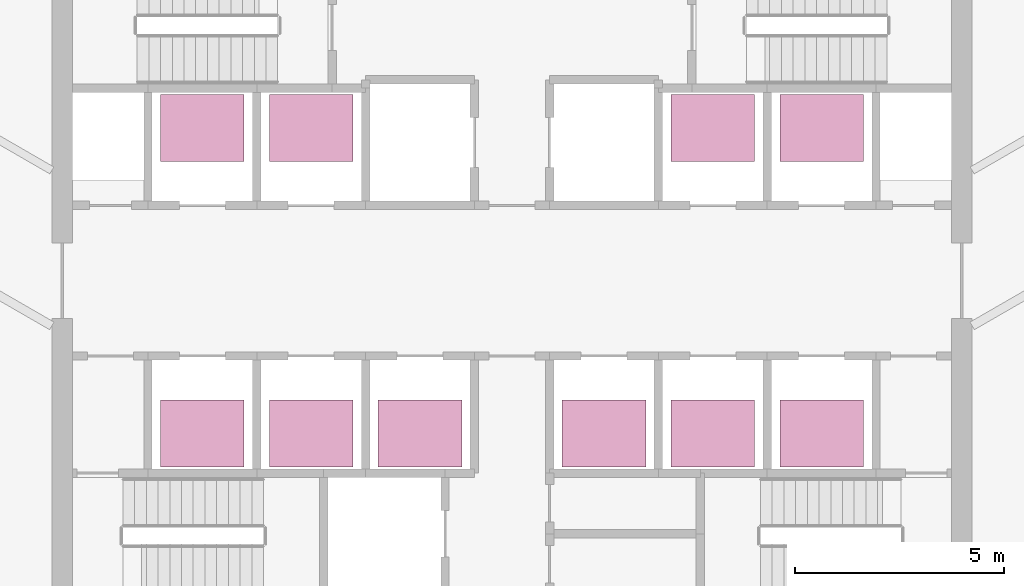
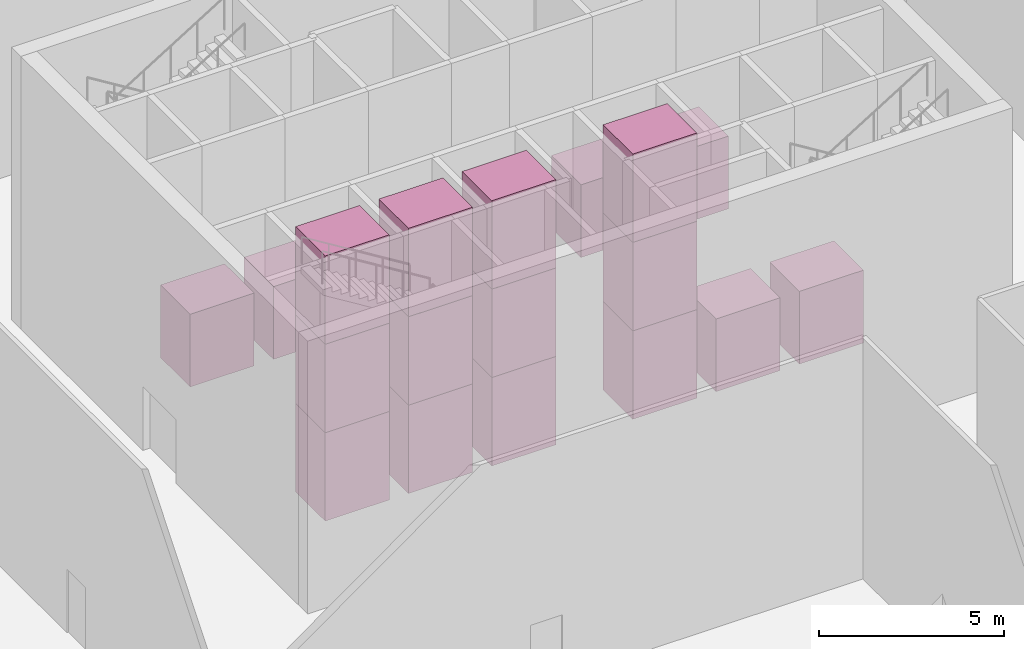
# One storey, part 29 of 29: 18 transport elements.
"""IFC4 building model written with IfcOpenShell, lengths in metres."""

from ifc_helpers import new_model, si_unit, direction, frame, origin, origin_2d, place, context, subcontext, project, spatial, rectangle, extrude, material, type_object, element, save


model = new_model("IFC4")

# Units and contexts
model_context = context("Model", 3, precision=1e-05, world=origin(), true_north=direction((0.0, 1.0)))
body_context = subcontext(model_context, "Body", "Model", "MODEL_VIEW")
ifc_project = project(units=[si_unit("LENGTHUNIT", "METRE"), si_unit("AREAUNIT", "SQUARE_METRE"), si_unit("VOLUMEUNIT", "CUBIC_METRE"), si_unit("PLANEANGLEUNIT", "RADIAN"), si_unit("MASSUNIT", "GRAM", prefix="KILO")], contexts=[model_context])

# Site, building, storey
site_placement = place(None, origin())
site = spatial("IfcSite", under=ifc_project, at=site_placement, CompositionType="ELEMENT")
building_placement = place(site_placement, origin())
building = spatial("IfcBuilding", under=site, at=building_placement, Name="Sierra Prisma Convention Tower", CompositionType="ELEMENT")
storey_placement = place(building_placement, origin())
storey = spatial("IfcBuildingStorey", under=building, at=storey_placement, Name="L00", CompositionType="ELEMENT", Elevation=0.0)

# Transport elements
ifc_material_1 = material(Name="Stainless steel", Category="steel")
transport_element_type_1 = type_object("IfcTransportElementType", Name="Lift car garage 2000x1600 1600 kg", PredefinedType="ELEVATOR", material=ifc_material_1)
for number, where, z_axis, x_axis, name in (
    (1, (4.800048828125, -3.64990234375, 0.0), (0.0, 0.0, 1.0), (1.0, 0.0, 0.0), "Lift GL1"),
    (2, (7.39990234375, -3.64990234375, 0.0), (0.0, 0.0, 1.0), (1.0, 0.0, 0.0), "Lift GL2"),
):
    element("IfcTransportElement", number, at=place(storey_placement, frame(where, z_axis=z_axis, x_axis=x_axis)), inside=storey, type_object=transport_element_type_1, Name=name, PredefinedType="ELEVATOR", context=body_context, shape_type="SweptSolid", body=[
        extrude(rectangle(XDim=2.0, YDim=1.60009765625, at=origin_2d()), origin(), (0.0, 0.0, 1.0), 2.39990234375),
    ])
ifc_material_2 = material(Name="Stainless steel", Category="steel")
transport_element_type_2 = type_object("IfcTransportElementType", Name="Lift car podium 2000x1600 1600 kg", PredefinedType="ELEVATOR", material=ifc_material_2)
for number, where, z_axis, x_axis, name in (
    (3, (-7.39990234375, -3.64990234375, 0.0), (0.0, 0.0, 1.0), (1.0, 0.0, 0.0), "Lift PD1"),
    (4, (-7.39990234375, -3.64990234375, 2.91650390625), (0.0, 0.0, 1.0), (1.0, 0.0, 0.0), "Lift PD1"),
    (5, (-7.39990234375, -3.64990234375, 5.83349609375), (0.0, 0.0, 1.0), (1.0, 0.0, 0.0), "Lift PD1"),
    (6, (-4.800048828125, -3.64990234375, 0.0), (0.0, 0.0, 1.0), (1.0, 0.0, 0.0), "Lift PD2"),
    (7, (-4.800048828125, -3.64990234375, 2.91650390625), (0.0, 0.0, 1.0), (1.0, 0.0, 0.0), "Lift PD2"),
    (8, (-4.800048828125, -3.64990234375, 5.83349609375), (0.0, 0.0, 1.0), (1.0, 0.0, 0.0), "Lift PD2"),
    (9, (-2.199951171875, -3.64990234375, 0.0), (0.0, 0.0, 1.0), (1.0, 0.0, 0.0), "Lift PD3"),
    (10, (-2.199951171875, -3.64990234375, 2.91650390625), (0.0, 0.0, 1.0), (1.0, 0.0, 0.0), "Lift PD3"),
    (11, (-2.199951171875, -3.64990234375, 5.83349609375), (0.0, 0.0, 1.0), (1.0, 0.0, 0.0), "Lift PD3"),
    (12, (2.199951171875, -3.64990234375, 0.0), (0.0, 0.0, 1.0), (1.0, 0.0, 0.0), "Lift PD4"),
    (13, (2.199951171875, -3.64990234375, 2.91650390625), (0.0, 0.0, 1.0), (1.0, 0.0, 0.0), "Lift PD4"),
    (14, (2.199951171875, -3.64990234375, 5.83349609375), (0.0, 0.0, 1.0), (1.0, 0.0, 0.0), "Lift PD4"),
):
    element("IfcTransportElement", number, at=place(storey_placement, frame(where, z_axis=z_axis, x_axis=x_axis)), inside=storey, type_object=transport_element_type_2, Name=name, PredefinedType="ELEVATOR", context=body_context, shape_type="SweptSolid", body=[
        extrude(rectangle(XDim=2.0, YDim=1.60009765625, at=origin_2d()), origin(), (0.0, 0.0, 1.0), 2.916748046875),
    ])
ifc_material_3 = material(Name="Stainless steel", Category="steel")
transport_element_type_3 = type_object("IfcTransportElementType", Name="Lift car shuttle 2000x1600 1600 kg", PredefinedType="ELEVATOR", material=ifc_material_3)
for number, where, z_axis, x_axis, name in (
    (15, (-7.39990234375, 3.64990234375, 0.0), (0.0, 0.0, 1.0), (1.0, 0.0, 0.0), "Lift SH1"),
    (16, (-4.800048828125, 3.64990234375, 0.0), (0.0, 0.0, 1.0), (1.0, 0.0, 0.0), "Lift SH2"),
    (17, (4.800048828125, 3.64990234375, 0.0), (0.0, 0.0, 1.0), (1.0, 0.0, 0.0), "Lift SH3"),
    (18, (7.39990234375, 3.64990234375, 0.0), (0.0, 0.0, 1.0), (1.0, 0.0, 0.0), "Lift SH4"),
):
    element("IfcTransportElement", number, at=place(storey_placement, frame(where, z_axis=z_axis, x_axis=x_axis)), inside=storey, type_object=transport_element_type_3, Name=name, PredefinedType="ELEVATOR", context=body_context, shape_type="SweptSolid", body=[
        extrude(rectangle(XDim=2.0, YDim=1.60009765625, at=origin_2d()), origin(), (0.0, 0.0, 1.0), 2.39990234375),
    ])

save(model, "model.ifc")
